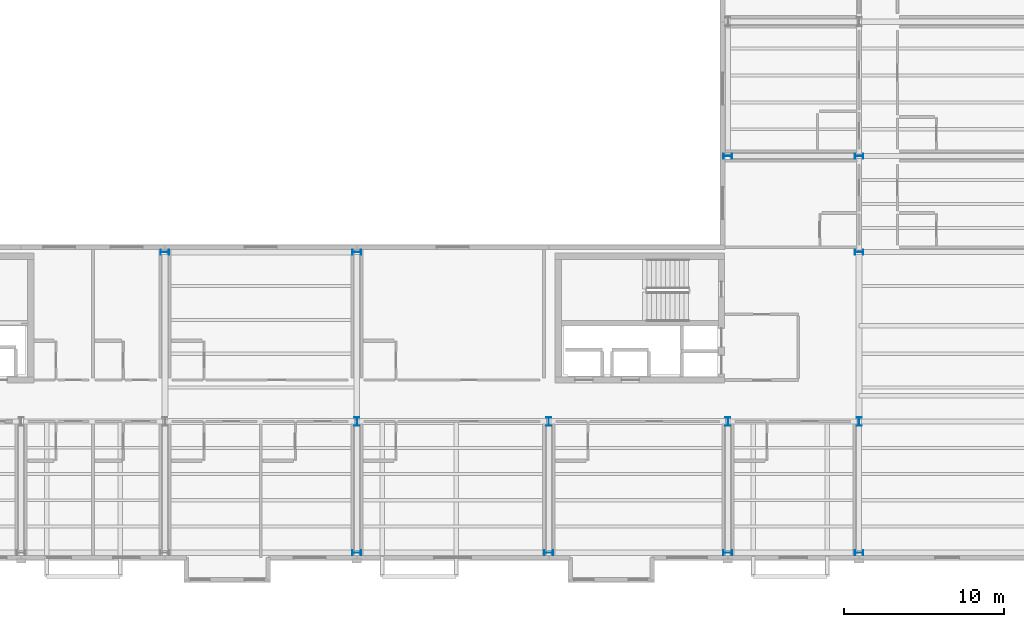
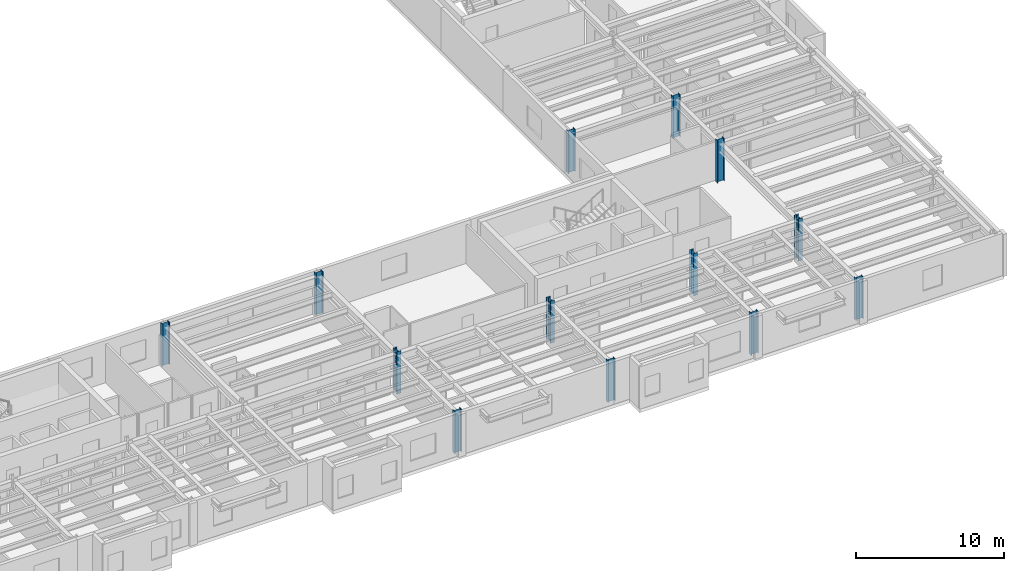
# One storey, part 2 of 17: 13 columns.
"""IFC4 building model written with IfcOpenShell, lengths in metres."""

from ifc_helpers import new_model, si_unit, direction, frame, origin, origin_2d, place, context, subcontext, project, spatial, i_section, extrude, material, material_profile, profile_set, type_object, element, save


model = new_model("IFC4")

# Units and contexts
model_context = context("Model", 3, precision=1e-05, world=origin(), true_north=direction((0.0, 1.0)))
body_context = subcontext(model_context, "Body", "Model", "MODEL_VIEW")
ifc_project = project(units=[si_unit("LENGTHUNIT", "METRE"), si_unit("AREAUNIT", "SQUARE_METRE"), si_unit("VOLUMEUNIT", "CUBIC_METRE"), si_unit("PLANEANGLEUNIT", "RADIAN"), si_unit("MASSUNIT", "GRAM", prefix="KILO")], contexts=[model_context])

# Site, building, storey
site_placement = place(None, origin())
site = spatial("IfcSite", under=ifc_project, at=site_placement, CompositionType="ELEMENT")
building_placement = place(site_placement, origin())
building = spatial("IfcBuilding", under=site, at=building_placement, Name="Sollismere Congress Hotel", CompositionType="ELEMENT")
storey_placement = place(building_placement, frame((0.0, 0.0, 37.60009765625)))
storey = spatial("IfcBuildingStorey", under=building, at=storey_placement, Name="L09", CompositionType="ELEMENT", Elevation=37.60009765625)

# Columns
ifc_material = material(Name="Steel ASTM A992 Grade 50", Category="steel")
ifc_material_profile = material_profile(ifc_material, i_section(OverallWidth=0.31494140625, OverallDepth=0.551025390625, WebThickness=0.01513671875, FlangeThickness=0.0244140625, at=origin_2d()), Name="W21X122")
ifc_profile_set = profile_set([ifc_material_profile], Name="Steel ASTM A992 Grade 50")
column_type = type_object("IfcColumnType", Name="COL-W21", PredefinedType="COLUMN", material=ifc_profile_set)
for number, where, z_axis, x_axis, name in (
    (1, (112.0, 18.800048828125, 0.0), (0.0, 0.0, 1.0), (0.0, 1.0, 0.0), "Column CL-L09-604"),
    (2, (124.0, 0.0, 0.0), (0.0, 0.0, 1.0), (0.0, 1.0, 0.0), "Column CL-L09-656"),
    (3, (124.0, 8.199951171875, 0.0), (0.0, 0.0, 1.0), (1.0, 0.0, 0.0), "Column CL-L09-669"),
    (4, (124.0, 18.800048828125, 0.0), (0.0, 0.0, 1.0), (0.0, 1.0, 0.0), "Column CL-L09-682"),
    (5, (136.0, 0.0, 0.0), (0.0, 0.0, 1.0), (0.0, 1.0, 0.0), "Column CL-L09-737"),
    (6, (136.0, 8.199951171875, 0.0), (0.0, 0.0, 1.0), (1.0, 0.0, 0.0), "Column CL-L09-750"),
    (7, (147.199951171875, 0.0, 0.0), (0.0, 0.0, 1.0), (0.0, 1.0, 0.0), "Column CL-L09-790"),
    (8, (147.199951171875, 8.199951171875, 0.0), (0.0, 0.0, 1.0), (1.0, 0.0, 0.0), "Column CL-L09-803"),
    (9, (147.199951171875, 24.800048828125, 0.0), (0.0, 0.0, 1.0), (0.0, 1.0, 0.0), "Column CL-L09-816"),
    (10, (155.39990234375, 0.0, 0.0), (0.0, 0.0, 1.0), (0.0, 1.0, 0.0), "Column CL-L09-865"),
    (11, (155.39990234375, 8.199951171875, 0.0), (0.0, 0.0, 1.0), (1.0, 0.0, 0.0), "Column CL-L09-878"),
    (12, (155.39990234375, 18.800048828125, 0.0), (0.0, 0.0, 1.0), (0.0, 1.0, 0.0), "Column CL-L09-891"),
    (13, (155.39990234375, 24.800048828125, 0.0), (0.0, 0.0, 1.0), (0.0, 1.0, 0.0), "Column CL-L09-904"),
):
    element("IfcColumn", number, at=place(storey_placement, frame(where, z_axis=z_axis, x_axis=x_axis)), inside=storey, type_object=column_type, Name=name, PredefinedType="COLUMN", context=body_context, shape_type="SweptSolid", body=[
        extrude(i_section(OverallWidth=0.31494140625, OverallDepth=0.551025390625, WebThickness=0.01513671875, FlangeThickness=0.0244140625, at=origin_2d()), origin(), (0.0, 0.0, 1.0), 3.5),
    ])

save(model, "model.ifc")
